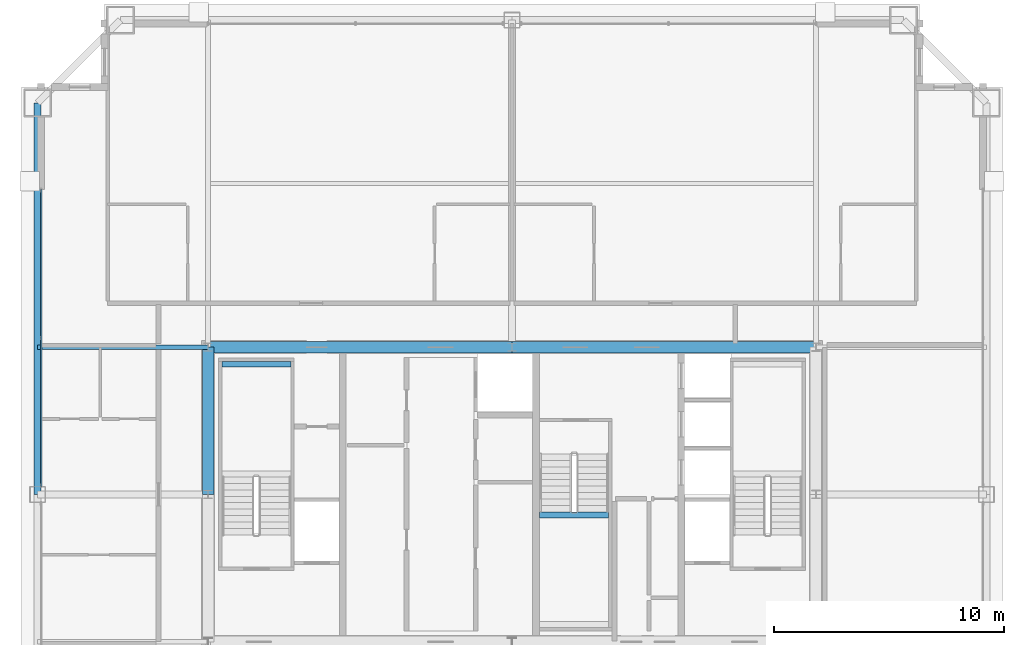
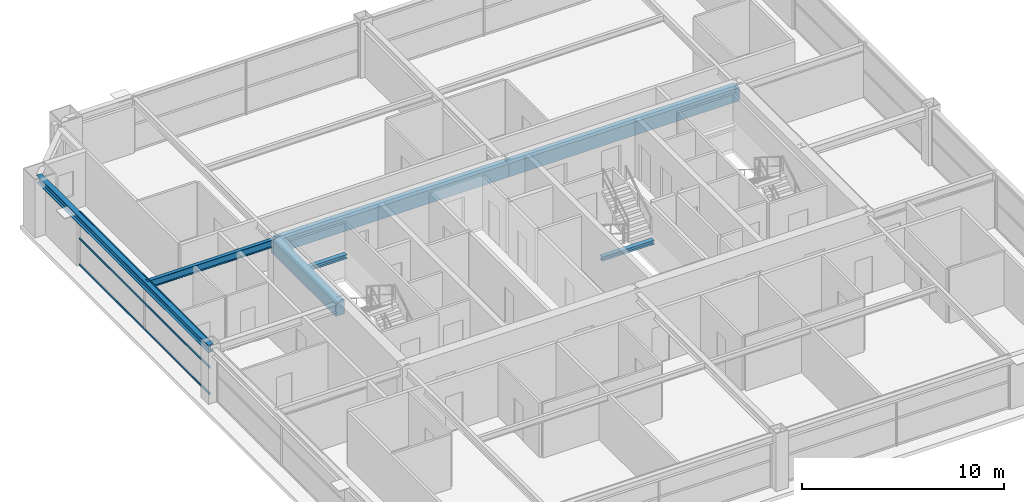
# One storey, part 15 of 37: 7 beams, 3 members, 1 element without a shape of its own.
"""IFC4 building model written with IfcOpenShell, lengths in metres."""

from ifc_helpers import new_model, si_unit, direction, frame, origin, origin_2d, place, context, subcontext, project, spatial, rectangle, hollow_rectangle, i_section, extrude, source, transform, mapped, material, layer, layer_set, material_profile, profile_set, type_object, element, aggregate, save


model = new_model("IFC4")

# Units and contexts
model_context = context("Model", 3, precision=1e-05, world=origin(), true_north=direction((0.0, 1.0)))
body_context = subcontext(model_context, "Body", "Model", "MODEL_VIEW")
ifc_project = project(units=[si_unit("LENGTHUNIT", "METRE"), si_unit("AREAUNIT", "SQUARE_METRE"), si_unit("VOLUMEUNIT", "CUBIC_METRE"), si_unit("PLANEANGLEUNIT", "RADIAN"), si_unit("MASSUNIT", "GRAM", prefix="KILO"), si_unit("THERMODYNAMICTEMPERATUREUNIT", "KELVIN"), si_unit("POWERUNIT", "WATT")], contexts=[model_context])

# Site, building, storey
site_placement = place(None, origin())
site = spatial("IfcSite", under=ifc_project, at=site_placement, CompositionType="ELEMENT")
building_placement = place(site_placement, origin())
building = spatial("IfcBuilding", under=site, at=building_placement, Name="Yuzanri Waterfront Tower", CompositionType="ELEMENT")
storey_placement = place(building_placement, frame((0.0, 0.0, 268.10009765625)))
storey = spatial("IfcBuildingStorey", under=building, at=storey_placement, Name="L71", CompositionType="ELEMENT", Elevation=268.10009765625)

# Beams
ifc_material_1 = material(Name="Concrete C50", Category="concrete")
ifc_material_profile_1 = material_profile(ifc_material_1, rectangle(XDim=0.5, YDim=0.800048828125, at=origin_2d()), Name="RC 500x800")
ifc_profile_set_1 = profile_set([ifc_material_profile_1], Name="Concrete C50")
beam_type_1 = type_object("IfcBeamType", Name="Core Coupling Lintel Concrete C50 500x800", PredefinedType="LINTEL", material=ifc_profile_set_1)
shared_shape_1 = source(origin(), body_context, "Body", "SweptSolid", [
    extrude(rectangle(XDim=0.5, YDim=0.800048828125, at=origin_2d()), origin(), (0.0, 0.0, 1.0), 13.199951171875),
])
for number, where, z_axis, x_axis, name in (
    (1, (23.800048828125, 32.199951171875, 2.8798828125), (1.0, 0.0, 0.0), (0.0, 1.0, 0.0), "L71 Core Tie Beam CN1"),
    (2, (37.0, 32.199951171875, 2.8798828125), (1.0, 0.0, 0.0), (0.0, 1.0, 0.0), "L71 Core Tie Beam CN2"),
):
    element("IfcBeam", number, at=place(storey_placement, frame(where, z_axis=z_axis, x_axis=x_axis)), inside=storey, type_object=beam_type_1, Name=name, PredefinedType="LINTEL", context=body_context, shape_type="MappedRepresentation", body=[
        mapped(shared_shape_1, transform((0.0, 0.0, 0.0), scale=1.0)),
    ])
shared_shape_2 = source(origin(), body_context, "Body", "SweptSolid", [
    extrude(rectangle(XDim=0.5, YDim=0.800048828125, at=origin_2d()), origin(), (0.0, 0.0, 1.0), 6.39990234375),
])
beam_1_placement = place(storey_placement, frame((23.800048828125, 25.800048828125, 2.8798828125), z_axis=(0.0, 1.0, 0.0), x_axis=(-1.0, 0.0, 0.0)))
element("IfcBeam", 3, at=beam_1_placement, inside=storey, type_object=beam_type_1, Name="L71 Core Tie Beam CW2", PredefinedType="LINTEL", context=body_context, shape_type="MappedRepresentation", body=[
    mapped(shared_shape_2, transform((0.0, 0.0, 0.0), scale=1.0)),
])
ifc_material_2 = material(Name="Steel Q355B", Category="steel")
ifc_material_profile_2 = material_profile(ifc_material_2, i_section(OverallWidth=0.300048828125, OverallDepth=0.43994140625, WebThickness=0.010986328125, FlangeThickness=0.01806640625, at=origin_2d()), Name="HM 440x300x11x18")
ifc_profile_set_2 = profile_set([ifc_material_profile_2], Name="Steel Q355B")
beam_type_2 = type_object("IfcBeamType", Name="Perimeter Spandrel Q355B HM 440x300", PredefinedType="SPANDREL", material=ifc_profile_set_2)
shared_shape_3 = source(origin(), body_context, "Body", "SweptSolid", [
    extrude(i_section(OverallWidth=0.300048828125, OverallDepth=0.43994140625, WebThickness=0.010986328125, FlangeThickness=0.01806640625, at=origin_2d()), origin(), (0.0, 0.0, 1.0), 17.0),
])
beam_2_placement = place(storey_placement, frame((16.39990234375, 42.800048828125, 3.059814453125), z_axis=(0.0, -1.0, 0.0), x_axis=(1.0, 0.0, 0.0)))
element("IfcBeam", 4, at=beam_2_placement, inside=storey, type_object=beam_type_2, Name="L71 Perimeter Spandrel W3-W2", PredefinedType="SPANDREL", context=body_context, shape_type="MappedRepresentation", body=[
    mapped(shared_shape_3, transform((0.0, 0.0, 0.0), scale=1.0)),
])
ifc_material_3 = material(Name="Steel Q355B", Category="steel")
ifc_material_profile_3 = material_profile(ifc_material_3, i_section(OverallWidth=0.199951171875, OverallDepth=0.449951171875, WebThickness=0.009033203125, FlangeThickness=0.013916015625, at=origin_2d()), Name="HN 450x200x9x14")
ifc_profile_set_3 = profile_set([ifc_material_profile_3], Name="Steel Q355B")
beam_type_3 = type_object("IfcBeamType", Name="Secondary Floor Beam Q355B HN 450x200", PredefinedType="BEAM", material=ifc_profile_set_3)
shared_shape_4 = source(origin(), body_context, "Body", "SweptSolid", [
    extrude(i_section(OverallWidth=0.199951171875, OverallDepth=0.449951171875, WebThickness=0.009033203125, FlangeThickness=0.013916015625, at=origin_2d()), origin(), (0.0, 0.0, 1.0), 7.400146484375),
])
beam_3_placement = place(storey_placement, frame((23.800048828125, 32.199951171875, 3.054931640625), z_axis=(-1.0, 0.0, 0.0), x_axis=(0.0, -1.0, 0.0)))
element("IfcBeam", 5, at=beam_3_placement, inside=storey, type_object=beam_type_3, Name="L71 West-North Core Line Beam", PredefinedType="BEAM", context=body_context, shape_type="MappedRepresentation", body=[
    mapped(shared_shape_4, transform((0.0, 0.0, 0.0), scale=1.0)),
])

# Curtain wall, members
ifc_material_4 = material(Name="Anodized Architectural Bronze", Category="metal")
ifc_layer = layer(ifc_material_4, 0.159912109375)
ifc_layer_set = layer_set([ifc_layer], Name="Anodized Architectural Bronze")
curtain_wall_type = type_object("IfcCurtainWallType", Name="Anodized Bronze Mid-Rise Residential Acoustic Unitized Curtain Wall 7200", PredefinedType="NOTDEFINED", material=ifc_layer_set)
curtain_wall_placement = place(storey_placement, origin())
curtain_wall = element("IfcCurtainWall", 6, at=curtain_wall_placement, inside=storey, type_object=curtain_wall_type, Name="L71 Curtain Wall CW-L71-WR", PredefinedType="NOTDEFINED")
ifc_material_5 = material(Name="Anodized Architectural Bronze", Category="metal")
ifc_material_profile_4 = material_profile(ifc_material_5, hollow_rectangle(XDim=0.06494140625, YDim=0.1201171875, WallThickness=0.00341796875, at=origin_2d()), Name="CWT 65x120")
ifc_profile_set_4 = profile_set([ifc_material_profile_4], Name="Anodized Architectural Bronze")
member_type = type_object("IfcMemberType", Name="Anodized Bronze Secondary Curtain-Wall Transom 65x120", PredefinedType="USERDEFINED", material=ifc_profile_set_4)
shared_shape_5 = source(origin(), body_context, "Body", "SweptSolid", [
    extrude(hollow_rectangle(XDim=0.06494140625, YDim=0.1201171875, WallThickness=0.00341796875, at=origin_2d()), origin(), (0.0, 0.0, 1.0), 12.900146484375),
])
member_1_placement = place(storey_placement, frame((16.550048828125, 26.14990234375, 0.0498046875), z_axis=(0.0, 1.0, 0.0), x_axis=(-1.0, 0.0, 0.0)))
member_1 = element("IfcMember", 7, at=member_1_placement, type_object=member_type, Name="CW-L71-WR Transom 1", ObjectType="TRANSOM", PredefinedType="USERDEFINED", context=body_context, shape_type="MappedRepresentation", body=[
    mapped(shared_shape_5, transform((0.0, 0.0, 0.0), scale=1.0)),
])
member_2_placement = place(storey_placement, frame((16.550048828125, 26.14990234375, 1.639892578125), z_axis=(0.0, 1.0, 0.0), x_axis=(-1.0, 0.0, 0.0)))
member_2 = element("IfcMember", 8, at=member_2_placement, type_object=member_type, Name="CW-L71-WR Transom 2", ObjectType="TRANSOM", PredefinedType="USERDEFINED", context=body_context, shape_type="MappedRepresentation", body=[
    mapped(shared_shape_5, transform((0.0, 0.0, 0.0), scale=1.0)),
])
member_3_placement = place(storey_placement, frame((16.550048828125, 26.14990234375, 3.22998046875), z_axis=(0.0, 1.0, 0.0), x_axis=(-1.0, 0.0, 0.0)))
member_3 = element("IfcMember", 9, at=member_3_placement, type_object=member_type, Name="CW-L71-WR Transom 3", ObjectType="TRANSOM", PredefinedType="USERDEFINED", context=body_context, shape_type="MappedRepresentation", body=[
    mapped(shared_shape_5, transform((0.0, 0.0, 0.0), scale=1.0)),
])
aggregate(curtain_wall, [member_1, member_2, member_3])

# Beams
ifc_material_6 = material(Name="Steel Q355B", Category="steel")
ifc_material_profile_5 = material_profile(ifc_material_6, i_section(OverallWidth=0.25, OverallDepth=0.25, WebThickness=0.009033203125, FlangeThickness=0.013916015625, at=origin_2d()), Name="HW 250x250x9x14")
ifc_profile_set_5 = profile_set([ifc_material_profile_5], Name="Steel Q355B")
beam_type_4 = type_object("IfcBeamType", Name="Stair Landing Support Beam Q355B HW 250x250", PredefinedType="BEAM", material=ifc_profile_set_5)
shared_shape_6 = source(origin(), body_context, "Body", "SweptSolid", [
    extrude(i_section(OverallWidth=0.25, OverallDepth=0.25, WebThickness=0.009033203125, FlangeThickness=0.013916015625, at=origin_2d()), origin(), (0.0, 0.0, 1.0), 3.0),
])
for number, where, z_axis, x_axis, name in (
    (10, (24.39990234375, 31.449951171875, 1.4248046875), (1.0, 0.0, 0.0), (0.0, 1.0, 0.0), "L71 Stair Landing Support Beam ST-01-L71-L1-2"),
    (11, (38.199951171875, 24.909912109375, 1.4248046875), (1.0, 0.0, 0.0), (0.0, 1.0, 0.0), "L71 Stair Landing Support Beam ST-03-L71-L1-2"),
):
    element("IfcBeam", number, at=place(storey_placement, frame(where, z_axis=z_axis, x_axis=x_axis)), inside=storey, type_object=beam_type_4, Name=name, PredefinedType="BEAM", context=body_context, shape_type="MappedRepresentation", body=[
        mapped(shared_shape_6, transform((0.0, 0.0, 0.0), scale=1.0)),
    ])

save(model, "model.ifc")
